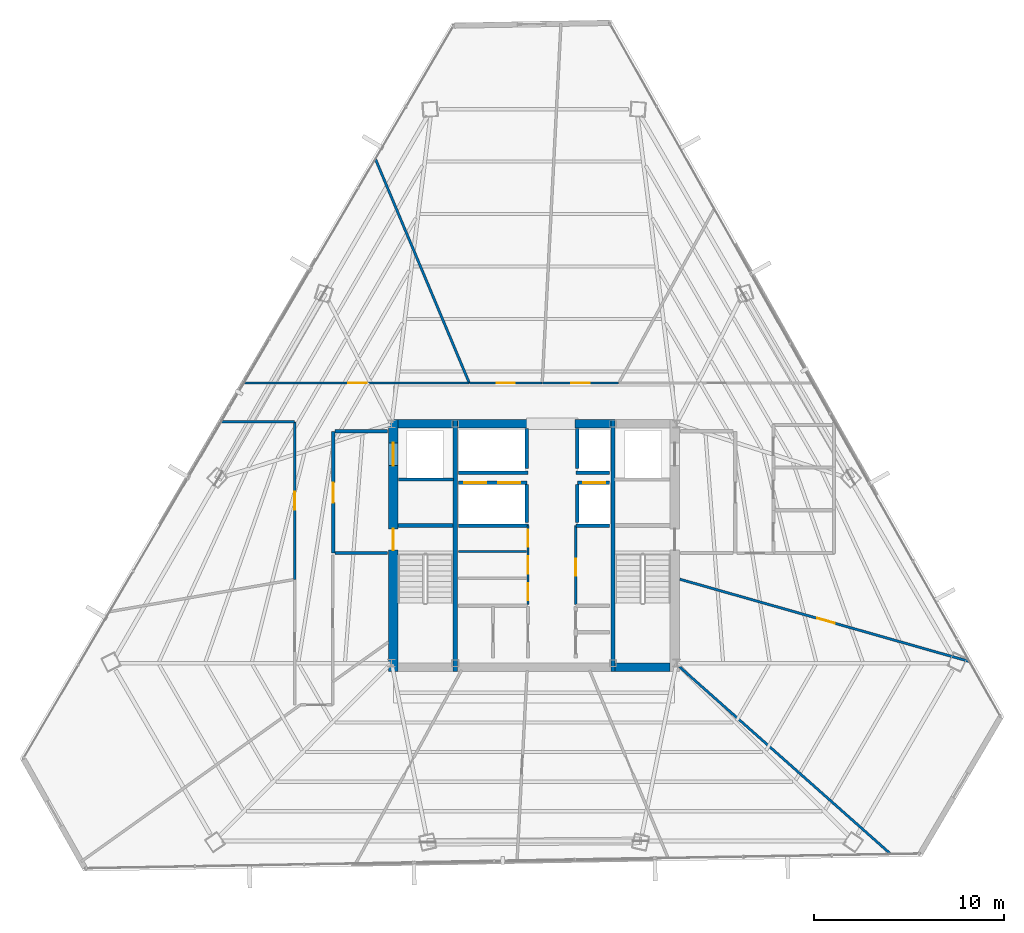
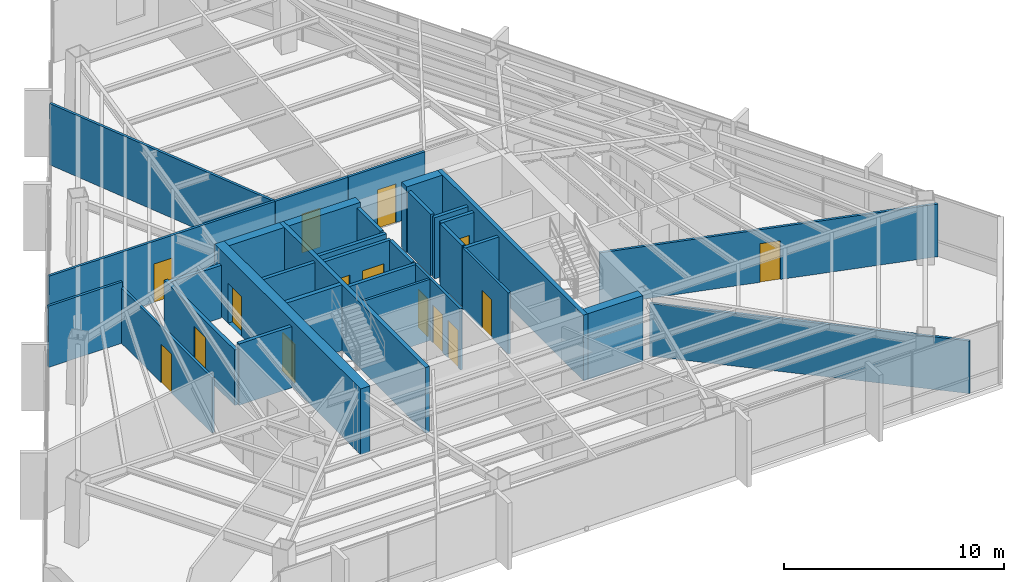
# One storey, part 36 of 42: 33 walls, 15 doors, 15 openings.
"""IFC4 building model written with IfcOpenShell, lengths in metres."""

from ifc_helpers import new_model, si_unit, direction, frame, frame_2d, origin, place, context, subcontext, project, spatial, rectangle, extrude, material, layer, layer_set, type_object, element, fill, save


model = new_model("IFC4")

# Units and contexts
model_context = context("Model", 3, precision=1e-05, world=origin(), true_north=direction((0.0, 1.0)))
body_context = subcontext(model_context, "Body", "Model", "MODEL_VIEW")
ifc_project = project(units=[si_unit("LENGTHUNIT", "METRE"), si_unit("AREAUNIT", "SQUARE_METRE"), si_unit("VOLUMEUNIT", "CUBIC_METRE"), si_unit("PLANEANGLEUNIT", "RADIAN"), si_unit("MASSUNIT", "GRAM", prefix="KILO")], contexts=[model_context])

# Site, building, storey
site_placement = place(None, origin())
site = spatial("IfcSite", under=ifc_project, at=site_placement, CompositionType="ELEMENT")
building_placement = place(site_placement, origin())
building = spatial("IfcBuilding", under=site, at=building_placement, Name="Caelisora Broadcast Tower", CompositionType="ELEMENT")
storey_placement = place(building_placement, frame((0.0, 0.0, 187.699951171875)))
storey = spatial("IfcBuildingStorey", under=building, at=storey_placement, Name="L49", CompositionType="ELEMENT", Elevation=187.699951171875)

# Wall, openings, doors
ifc_material_1 = material(Name="Concrete 50 MPa (AS 3600 S50)", Category="concrete")
ifc_layer_1 = layer(ifc_material_1, 0.5, Name="Concrete 50 MPa (AS 3600 S50)")
ifc_layer_set_1 = layer_set([ifc_layer_1], Name="Concrete 50 MPa (AS 3600 S50)")
wall_type_1 = type_object("IfcWallType", Name="CW2", PredefinedType="SHEAR", material=ifc_layer_set_1)
wall_1_placement = place(storey_placement, frame((30.590087890625, 16.949951171875, 0.0), z_axis=(0.0, 0.0, 1.0), x_axis=(0.0, 1.0, 0.0)))
wall_1 = element("IfcWall", 1, at=wall_1_placement, inside=storey, type_object=wall_type_1, Name="L49 core shear wall CW2", PredefinedType="SHEAR", context=body_context, shape_type="SweptSolid", body=[
    extrude(rectangle(XDim=13.275146484375, YDim=0.5, at=frame_2d((6.6376953125, 0.0))), origin(), (0.0, 0.0, 1.0), 3.650146484375),
])
opening_1_placement = place(wall_1_placement, frame((6.39990234375, 0.0, 0.0)))
opening_1 = element("IfcOpeningElement", 2, at=opening_1_placement, cuts=wall_1, Name="Opening FD04", PredefinedType="OPENING", context=body_context, shape_type="SweptSolid", body=[
    extrude(rectangle(XDim=1.1201171875, YDim=2.14990234375, at=frame_2d((0.56005859375, 1.074951171875))), frame((0.0, 0.261962890625, 0.0), z_axis=(0.0, -1.0, 0.0), x_axis=(1.0, 0.0, 0.0)), (0.0, 0.0, 1.0), 0.52392578125),
])
opening_2_placement = place(wall_1_placement, frame((10.85009765625, 0.0, 0.0)))
opening_2 = element("IfcOpeningElement", 3, at=opening_2_placement, cuts=wall_1, Name="Opening LD04", PredefinedType="OPENING", context=body_context, shape_type="SweptSolid", body=[
    extrude(rectangle(XDim=1.199951171875, YDim=2.199951171875, at=frame_2d((0.60009765625, 1.10009765625))), frame((0.0, 0.261962890625, 0.0), z_axis=(0.0, -1.0, 0.0), x_axis=(1.0, 0.0, 0.0)), (0.0, 0.0, 1.0), 0.52392578125),
])
ifc_material_2 = material(Name="Pressurised Fire-Isolated Stair Door", Category="steel")
door_type_1 = type_object("IfcDoorType", Name="FD04", OperationType="NOTDEFINED", PredefinedType="DOOR", material=ifc_material_2)
door_1_placement = place(opening_1_placement, origin())
door_1 = element("IfcDoor", 4, at=door_1_placement, inside=storey, type_object=door_type_1, Name="L49 door FD04 (L49-DR-ST1)", OperationType="SINGLE_SWING_LEFT", OverallHeight=2.14990234375, OverallWidth=1.1201171875, PredefinedType="DOOR", context=body_context, shape_type="SweptSolid", body=[
    extrude(rectangle(XDim=1.1201171875, YDim=2.14990234375, at=frame_2d((0.56005859375, 1.074951171875))), frame((0.0, 0.02490234375, 0.0), z_axis=(0.0, -1.0, 0.0), x_axis=(1.0, 0.0, 0.0)), (0.0, 0.0, 1.0), 0.050048828125),
])
fill(opening_1, door_1)
ifc_material_3 = material(Name="Emergency Firefighting Lift Sliding Landing Door", Category="steel")
door_type_2 = type_object("IfcDoorType", Name="LD04", OperationType="NOTDEFINED", PredefinedType="DOOR", material=ifc_material_3)
door_2_placement = place(opening_2_placement, origin())
door_2 = element("IfcDoor", 5, at=door_2_placement, inside=storey, type_object=door_type_2, Name="L49 door LD04 (L49-LD-FFL1)", OperationType="SLIDING_TO_LEFT", OverallHeight=2.199951171875, OverallWidth=1.199951171875, PredefinedType="DOOR", context=body_context, shape_type="SweptSolid", body=[
    extrude(rectangle(XDim=1.199951171875, YDim=2.199951171875, at=frame_2d((0.60009765625, 1.10009765625))), frame((0.0, 0.02490234375, 0.0), z_axis=(0.0, -1.0, 0.0), x_axis=(1.0, 0.0, 0.0)), (0.0, 0.0, 1.0), 0.050048828125),
])
fill(opening_2, door_2)

# Walls
ifc_layer_2 = layer(ifc_material_1, 0.449951171875, Name="Concrete 50 MPa (AS 3600 S50)")
ifc_layer_set_2 = layer_set([ifc_layer_2], Name="Concrete 50 MPa (AS 3600 S50)")
wall_type_2 = type_object("IfcWallType", Name="CW5", PredefinedType="SHEAR", material=ifc_layer_set_2)
for number, where, z_axis, x_axis, name in (
    (6, (42.260009765625, 17.175048828125, 0.0), (0.0, 0.0, 1.0), (1.0, 0.0, 0.0), "L49 core shear wall CW5"),
    (7, (30.840087890625, 30.0, 0.0), (0.0, 0.0, 1.0), (1.0, 0.0, 0.0), "L49 core shear wall CW5"),
):
    element("IfcWall", number, at=place(storey_placement, frame(where, z_axis=z_axis, x_axis=x_axis)), inside=storey, type_object=wall_type_2, Name=name, PredefinedType="SHEAR", context=body_context, shape_type="SweptSolid", body=[
        extrude(rectangle(XDim=2.89990234375, YDim=0.449951171875, at=frame_2d((1.449951171875, 0.0))), origin(), (0.0, 0.0, 1.0), 3.650146484375),
    ])
wall_2_placement = place(storey_placement, frame((33.9599609375, 30.0, 0.0), z_axis=(0.0, 0.0, 1.0), x_axis=(1.0, 0.0, 0.0)))
element("IfcWall", 8, at=wall_2_placement, inside=storey, type_object=wall_type_2, Name="L49 core shear wall CW5", PredefinedType="SHEAR", context=body_context, shape_type="SweptSolid", body=[
    extrude(rectangle(XDim=3.780029296875, YDim=0.449951171875, at=frame_2d((1.89013671875, 0.0))), origin(), (0.0, 0.0, 1.0), 3.650146484375),
])
wall_3_placement = place(storey_placement, frame((40.159912109375, 30.0, 0.0), z_axis=(0.0, 0.0, 1.0), x_axis=(1.0, 0.0, 0.0)))
element("IfcWall", 9, at=wall_3_placement, inside=storey, type_object=wall_type_2, Name="L49 core shear wall CW5", PredefinedType="SHEAR", context=body_context, shape_type="SweptSolid", body=[
    extrude(rectangle(XDim=1.880126953125, YDim=0.449951171875, at=frame_2d((0.93994140625, 0.0))), origin(), (0.0, 0.0, 1.0), 3.650146484375),
])
ifc_layer_3 = layer(ifc_material_1, 0.219970703125, Name="Concrete 50 MPa (AS 3600 S50)")
ifc_layer_set_3 = layer_set([ifc_layer_3], Name="Concrete 50 MPa (AS 3600 S50)")
wall_type_3 = type_object("IfcWallType", Name="CW7", PredefinedType="SHEAR", material=ifc_layer_set_3)
for number, where, z_axis, x_axis, name in (
    (10, (33.85009765625, 16.949951171875, 0.0), (0.0, 0.0, 1.0), (0.0, 1.0, 0.0), "L49 core shear wall CW7"),
    (11, (42.14990234375, 16.949951171875, 0.0), (0.0, 0.0, 1.0), (0.0, 1.0, 0.0), "L49 core shear wall CW7"),
):
    element("IfcWall", number, at=place(storey_placement, frame(where, z_axis=z_axis, x_axis=x_axis)), inside=storey, type_object=wall_type_3, Name=name, PredefinedType="SHEAR", context=body_context, shape_type="SweptSolid", body=[
        extrude(rectangle(XDim=13.275146484375, YDim=0.219970703125, at=frame_2d((6.6376953125, 0.0))), origin(), (0.0, 0.0, 1.0), 3.650146484375),
    ])
wall_4_placement = place(storey_placement, frame((30.840087890625, 24.639892578125, 0.0), z_axis=(0.0, 0.0, 1.0), x_axis=(1.0, 0.0, 0.0)))
element("IfcWall", 12, at=wall_4_placement, inside=storey, type_object=wall_type_3, Name="L49 core shear wall CW7", PredefinedType="SHEAR", context=body_context, shape_type="SweptSolid", body=[
    extrude(rectangle(XDim=2.89990234375, YDim=0.219970703125, at=frame_2d((1.449951171875, 0.0))), origin(), (0.0, 0.0, 1.0), 3.650146484375),
])

# Wall, openings, doors
ifc_material_4 = material(Name="Fire-Rated Gypsum Shaft and Compartment Wall", Category="gypsum")
ifc_layer_4 = layer(ifc_material_4, 0.179931640625, Name="Fire-Rated Gypsum Shaft and Compartment Wall")
ifc_layer_set_4 = layer_set([ifc_layer_4], Name="Fire-Rated Gypsum Shaft and Compartment Wall")
wall_type_4 = type_object("IfcWallType", Name="PW2", PredefinedType="PARTITIONING", material=ifc_layer_set_4)
wall_5_placement = place(storey_placement, frame((34.02001953125, 26.89990234375, 0.0), z_axis=(0.0, 0.0, 1.0), x_axis=(1.0, 0.0, 0.0)))
wall_5 = element("IfcWall", 13, at=wall_5_placement, inside=storey, type_object=wall_type_4, Name="L49 fire compartment wall PW2", PredefinedType="PARTITIONING", context=body_context, shape_type="SweptSolid", body=[
    extrude(rectangle(XDim=3.60009765625, YDim=0.179931640625, at=frame_2d((1.800048828125, 0.0))), origin(), (0.0, 0.0, 1.0), 3.400146484375),
])
opening_3_placement = place(wall_5_placement, frame((0.300048828125, 0.0, 0.0)))
opening_3 = element("IfcOpeningElement", 14, at=opening_3_placement, cuts=wall_5, Name="Opening LD02", PredefinedType="OPENING", context=body_context, shape_type="SweptSolid", body=[
    extrude(rectangle(XDim=1.14990234375, YDim=2.199951171875, at=frame_2d((0.574951171875, 1.10009765625))), frame((0.0, 0.10205078125, 0.0), z_axis=(0.0, -1.0, 0.0), x_axis=(1.0, 0.0, 0.0)), (0.0, 0.0, 1.0), 0.203857421875),
])
opening_4_placement = place(wall_5_placement, frame((2.10009765625, 0.0, 0.0)))
opening_4 = element("IfcOpeningElement", 15, at=opening_4_placement, cuts=wall_5, Name="Opening LD02", PredefinedType="OPENING", context=body_context, shape_type="SweptSolid", body=[
    extrude(rectangle(XDim=1.14990234375, YDim=2.199951171875, at=frame_2d((0.574951171875, 1.10009765625))), frame((0.0, 0.10205078125, 0.0), z_axis=(0.0, -1.0, 0.0), x_axis=(1.0, 0.0, 0.0)), (0.0, 0.0, 1.0), 0.203857421875),
])
ifc_material_5 = material(Name="High-Speed Express Lift Sliding Landing Door", Category="steel")
door_type_3 = type_object("IfcDoorType", Name="LD02", OperationType="NOTDEFINED", PredefinedType="DOOR", material=ifc_material_5)
door_3_placement = place(opening_3_placement, origin())
door_3 = element("IfcDoor", 16, at=door_3_placement, inside=storey, type_object=door_type_3, Name="L49 door LD02 (L49-LD-PLM1)", OperationType="SLIDING_TO_LEFT", OverallHeight=2.199951171875, OverallWidth=1.14990234375, PredefinedType="DOOR", context=body_context, shape_type="SweptSolid", body=[
    extrude(rectangle(XDim=1.14990234375, YDim=2.199951171875, at=frame_2d((0.574951171875, 1.10009765625))), frame((0.0, 0.02490234375, 0.0), z_axis=(0.0, -1.0, 0.0), x_axis=(1.0, 0.0, 0.0)), (0.0, 0.0, 1.0), 0.050048828125),
])
fill(opening_3, door_3)
door_4_placement = place(opening_4_placement, origin())
door_4 = element("IfcDoor", 17, at=door_4_placement, inside=storey, type_object=door_type_3, Name="L49 door LD02 (L49-LD-PLM2)", OperationType="SLIDING_TO_RIGHT", OverallHeight=2.199951171875, OverallWidth=1.14990234375, PredefinedType="DOOR", context=body_context, shape_type="SweptSolid", body=[
    extrude(rectangle(XDim=1.14990234375, YDim=2.199951171875, at=frame_2d((0.574951171875, 1.10009765625))), frame((0.0, 0.02490234375, 0.0), z_axis=(0.0, -1.0, 0.0), x_axis=(1.0, 0.0, 0.0)), (0.0, 0.0, 1.0), 0.050048828125),
])
fill(opening_4, door_4)

# Wall, opening, door
wall_6_placement = place(storey_placement, frame((40.280029296875, 26.89990234375, 0.0), z_axis=(0.0, 0.0, 1.0), x_axis=(1.0, 0.0, 0.0)))
wall_6 = element("IfcWall", 18, at=wall_6_placement, inside=storey, type_object=wall_type_4, Name="L49 fire compartment wall PW2", PredefinedType="PARTITIONING", context=body_context, shape_type="SweptSolid", body=[
    extrude(rectangle(XDim=1.699951171875, YDim=0.179931640625, at=frame_2d((0.85009765625, 0.0))), origin(), (0.0, 0.0, 1.0), 3.400146484375),
])
opening_5_placement = place(wall_6_placement, frame((0.320068359375, 0.0, 0.0)))
opening_5 = element("IfcOpeningElement", 19, at=opening_5_placement, cuts=wall_6, Name="Opening LD02", PredefinedType="OPENING", context=body_context, shape_type="SweptSolid", body=[
    extrude(rectangle(XDim=1.14990234375, YDim=2.199951171875, at=frame_2d((0.574951171875, 1.10009765625))), frame((0.0, 0.10205078125, 0.0), z_axis=(0.0, -1.0, 0.0), x_axis=(1.0, 0.0, 0.0)), (0.0, 0.0, 1.0), 0.203857421875),
])
door_5_placement = place(opening_5_placement, origin())
door_5 = element("IfcDoor", 20, at=door_5_placement, inside=storey, type_object=door_type_3, Name="L49 door LD02 (L49-LD-PLM3)", OperationType="SLIDING_TO_LEFT", OverallHeight=2.199951171875, OverallWidth=1.14990234375, PredefinedType="DOOR", context=body_context, shape_type="SweptSolid", body=[
    extrude(rectangle(XDim=1.14990234375, YDim=2.199951171875, at=frame_2d((0.574951171875, 1.10009765625))), frame((0.0, 0.02490234375, 0.0), z_axis=(0.0, -1.0, 0.0), x_axis=(1.0, 0.0, 0.0)), (0.0, 0.0, 1.0), 0.050048828125),
])
fill(opening_5, door_5)

# Walls
for number, where, z_axis, x_axis, name in (
    (21, (37.6201171875, 24.800048828125, 0.0), (0.0, 0.0, 1.0), (0.0, 1.0, 0.0), "L49 fire compartment wall PW2"),
    (22, (40.280029296875, 24.800048828125, 0.0), (0.0, 0.0, 1.0), (0.0, 1.0, 0.0), "L49 fire compartment wall PW2"),
):
    element("IfcWall", number, at=place(storey_placement, frame(where, z_axis=z_axis, x_axis=x_axis)), inside=storey, type_object=wall_type_4, Name=name, PredefinedType="PARTITIONING", context=body_context, shape_type="SweptSolid", body=[
        extrude(rectangle(XDim=2.0, YDim=0.179931640625, at=frame_2d((1.0, 0.0))), origin(), (0.0, 0.0, 1.0), 3.400146484375),
    ])
wall_7_placement = place(storey_placement, frame((34.02001953125, 24.639892578125, 0.0), z_axis=(0.0, 0.0, 1.0), x_axis=(1.0, 0.0, 0.0)))
element("IfcWall", 23, at=wall_7_placement, inside=storey, type_object=wall_type_4, Name="L49 fire compartment wall PW2", PredefinedType="PARTITIONING", context=body_context, shape_type="SweptSolid", body=[
    extrude(rectangle(XDim=3.679931640625, YDim=0.179931640625, at=frame_2d((1.83984375, 0.0))), origin(), (0.0, 0.0, 1.0), 3.400146484375),
])
wall_8_placement = place(storey_placement, frame((40.199951171875, 24.639892578125, 0.0), z_axis=(0.0, 0.0, 1.0), x_axis=(1.0, 0.0, 0.0)))
element("IfcWall", 24, at=wall_8_placement, inside=storey, type_object=wall_type_4, Name="L49 fire compartment wall PW2", PredefinedType="PARTITIONING", context=body_context, shape_type="SweptSolid", body=[
    extrude(rectangle(XDim=1.780029296875, YDim=0.179931640625, at=frame_2d((0.89013671875, 0.0))), origin(), (0.0, 0.0, 1.0), 3.400146484375),
])
wall_9_placement = place(storey_placement, frame((34.02001953125, 27.419921875, 0.0), z_axis=(0.0, 0.0, 1.0), x_axis=(1.0, 0.0, 0.0)))
element("IfcWall", 25, at=wall_9_placement, inside=storey, type_object=wall_type_4, Name="L49 fire compartment wall PW2", PredefinedType="PARTITIONING", context=body_context, shape_type="SweptSolid", body=[
    extrude(rectangle(XDim=3.659912109375, YDim=0.179931640625, at=frame_2d((1.830078125, 0.0))), origin(), (0.0, 0.0, 1.0), 3.400146484375),
])
wall_10_placement = place(storey_placement, frame((40.219970703125, 27.419921875, 0.0), z_axis=(0.0, 0.0, 1.0), x_axis=(1.0, 0.0, 0.0)))
element("IfcWall", 26, at=wall_10_placement, inside=storey, type_object=wall_type_4, Name="L49 fire compartment wall PW2", PredefinedType="PARTITIONING", context=body_context, shape_type="SweptSolid", body=[
    extrude(rectangle(XDim=1.760009765625, YDim=0.179931640625, at=frame_2d((0.8798828125, 0.0))), origin(), (0.0, 0.0, 1.0), 3.400146484375),
])
for number, where, z_axis, x_axis, name in (
    (27, (37.6201171875, 27.639892578125, 0.0), (0.0, 0.0, 1.0), (0.0, 1.0, 0.0), "L49 fire compartment wall PW2"),
    (28, (40.280029296875, 27.639892578125, 0.0), (0.0, 0.0, 1.0), (0.0, 1.0, 0.0), "L49 fire compartment wall PW2"),
):
    element("IfcWall", number, at=place(storey_placement, frame(where, z_axis=z_axis, x_axis=x_axis)), inside=storey, type_object=wall_type_4, Name=name, PredefinedType="PARTITIONING", context=body_context, shape_type="SweptSolid", body=[
        extrude(rectangle(XDim=2.110107421875, YDim=0.179931640625, at=frame_2d((1.05517578125, 0.0))), origin(), (0.0, 0.0, 1.0), 3.400146484375),
    ])

# Wall, opening, door
wall_11_placement = place(storey_placement, frame((27.419921875, 23.199951171875, 0.0), z_axis=(0.0, 0.0, 1.0), x_axis=(0.0, 1.0, 0.0)))
wall_11 = element("IfcWall", 29, at=wall_11_placement, inside=storey, type_object=wall_type_4, Name="L49 fire compartment wall PW2", PredefinedType="PARTITIONING", context=body_context, shape_type="SweptSolid", body=[
    extrude(rectangle(XDim=6.400146484375, YDim=0.179931640625, at=frame_2d((3.2001953125, 0.0))), origin(), (0.0, 0.0, 1.0), 3.077880859375),
])
opening_6_placement = place(wall_11_placement, frame((2.64990234375, 0.0, 0.0)))
opening_6 = element("IfcOpeningElement", 30, at=opening_6_placement, cuts=wall_11, Name="Opening FD02", PredefinedType="OPENING", context=body_context, shape_type="SweptSolid", body=[
    extrude(rectangle(XDim=1.050048828125, YDim=2.14990234375, at=frame_2d((0.52490234375, 1.074951171875))), frame((0.0, 0.10205078125, 0.0), z_axis=(0.0, -1.0, 0.0), x_axis=(1.0, 0.0, 0.0)), (0.0, 0.0, 1.0), 0.203857421875),
])
ifc_material_6 = material(Name="Single-Leaf Steel Fire Lobby Door", Category="steel")
door_type_4 = type_object("IfcDoorType", Name="FD02", OperationType="NOTDEFINED", PredefinedType="DOOR", material=ifc_material_6)
door_6_placement = place(opening_6_placement, origin())
door_6 = element("IfcDoor", 31, at=door_6_placement, inside=storey, type_object=door_type_4, Name="L49 door FD02 (L49-DR-P01D1)", OperationType="SINGLE_SWING_RIGHT", OverallHeight=2.14990234375, OverallWidth=1.050048828125, PredefinedType="DOOR", context=body_context, shape_type="SweptSolid", body=[
    extrude(rectangle(XDim=1.050048828125, YDim=2.14990234375, at=frame_2d((0.52490234375, 1.074951171875))), frame((0.0, 0.02490234375, 0.0), z_axis=(0.0, -1.0, 0.0), x_axis=(1.0, 0.0, 0.0)), (0.0, 0.0, 1.0), 0.050048828125),
])
fill(opening_6, door_6)

# Walls
wall_12_placement = place(storey_placement, frame((27.52001953125, 23.199951171875, 0.0), z_axis=(0.0, 0.0, 1.0), x_axis=(1.0, 0.0, 0.0)))
element("IfcWall", 32, at=wall_12_placement, inside=storey, type_object=wall_type_4, Name="L49 fire compartment wall PW2", PredefinedType="PARTITIONING", context=body_context, shape_type="SweptSolid", body=[
    extrude(rectangle(XDim=2.760009765625, YDim=0.179931640625, at=frame_2d((1.3798828125, 0.0))), origin(), (0.0, 0.0, 1.0), 3.400146484375),
])
wall_13_placement = place(storey_placement, frame((27.52001953125, 29.60009765625, 0.0), z_axis=(0.0, 0.0, 1.0), x_axis=(1.0, 0.0, 0.0)))
element("IfcWall", 33, at=wall_13_placement, inside=storey, type_object=wall_type_4, Name="L49 fire compartment wall PW2", PredefinedType="PARTITIONING", context=body_context, shape_type="SweptSolid", body=[
    extrude(rectangle(XDim=2.760009765625, YDim=0.179931640625, at=frame_2d((1.3798828125, 0.0))), origin(), (0.0, 0.0, 1.0), 2.924560546875),
])
wall_14_placement = place(storey_placement, frame((30.860107421875, 27.070068359375, 0.0), z_axis=(0.0, 0.0, 1.0), x_axis=(1.0, 0.0, 0.0)))
element("IfcWall", 34, at=wall_14_placement, inside=storey, type_object=wall_type_4, Name="L49 fire compartment wall PW2", PredefinedType="PARTITIONING", context=body_context, shape_type="SweptSolid", body=[
    extrude(rectangle(XDim=2.89990234375, YDim=0.179931640625, at=frame_2d((1.449951171875, 0.0))), origin(), (0.0, 0.0, 1.0), 3.400146484375),
])
ifc_material_7 = material(Name="Acoustic Steel-Stud Plasterboard Partition", Category="gypsum")
ifc_layer_5 = layer(ifc_material_7, 0.1298828125, Name="Acoustic Steel-Stud Plasterboard Partition")
ifc_layer_set_5 = layer_set([ifc_layer_5], Name="Acoustic Steel-Stud Plasterboard Partition")
wall_type_5 = type_object("IfcWallType", Name="PW3", PredefinedType="PARTITIONING", material=ifc_layer_set_5)
wall_15_placement = place(storey_placement, frame((34.02001953125, 23.280029296875, 0.0), z_axis=(0.0, 0.0, 1.0), x_axis=(1.0, 0.0, 0.0)))
element("IfcWall", 35, at=wall_15_placement, inside=storey, type_object=wall_type_5, Name="L49 internal partition PW3", PredefinedType="PARTITIONING", context=body_context, shape_type="SweptSolid", body=[
    extrude(rectangle(XDim=3.580078125, YDim=0.1298828125, at=frame_2d((1.7900390625, 0.0))), origin(), (0.0, 0.0, 1.0), 3.400146484375),
])

# Wall, openings, doors
wall_16_placement = place(storey_placement, frame((37.679931640625, 20.5, 0.0), z_axis=(0.0, 0.0, 1.0), x_axis=(0.0, 1.0, 0.0)))
wall_16 = element("IfcWall", 36, at=wall_16_placement, inside=storey, type_object=wall_type_5, Name="L49 internal partition PW3", PredefinedType="PARTITIONING", context=body_context, shape_type="SweptSolid", body=[
    extrude(rectangle(XDim=4.139892578125, YDim=0.1298828125, at=frame_2d((2.06982421875, 0.0))), origin(), (0.0, 0.0, 1.0), 3.400146484375),
])
opening_7_placement = place(wall_16_placement, frame((0.219970703125, 0.0, 0.0)))
opening_7 = element("IfcOpeningElement", 37, at=opening_7_placement, cuts=wall_16, Name="Opening FD03", PredefinedType="OPENING", context=body_context, shape_type="SweptSolid", body=[
    extrude(rectangle(XDim=0.89990234375, YDim=2.10009765625, at=frame_2d((0.449951171875, 1.050048828125))), frame((0.0, 0.076904296875, 0.0), z_axis=(0.0, -1.0, 0.0), x_axis=(1.0, 0.0, 0.0)), (0.0, 0.0, 1.0), 0.15380859375),
])
opening_8_placement = place(wall_16_placement, frame((1.6201171875, 0.0, 0.0)))
opening_8 = element("IfcOpeningElement", 38, at=opening_8_placement, cuts=wall_16, Name="Opening FD03", PredefinedType="OPENING", context=body_context, shape_type="SweptSolid", body=[
    extrude(rectangle(XDim=0.89990234375, YDim=2.10009765625, at=frame_2d((0.449951171875, 1.050048828125))), frame((0.0, 0.076904296875, 0.0), z_axis=(0.0, -1.0, 0.0), x_axis=(1.0, 0.0, 0.0)), (0.0, 0.0, 1.0), 0.15380859375),
])
opening_9_placement = place(wall_16_placement, frame((3.02001953125, 0.0, 0.0)))
opening_9 = element("IfcOpeningElement", 39, at=opening_9_placement, cuts=wall_16, Name="Opening FD03", PredefinedType="OPENING", context=body_context, shape_type="SweptSolid", body=[
    extrude(rectangle(XDim=0.89990234375, YDim=2.10009765625, at=frame_2d((0.449951171875, 1.050048828125))), frame((0.0, 0.076904296875, 0.0), z_axis=(0.0, -1.0, 0.0), x_axis=(1.0, 0.0, 0.0)), (0.0, 0.0, 1.0), 0.15380859375),
])
ifc_material_8 = material(Name="Single-Leaf Steel Riser Fire Access Door", Category="steel")
door_type_5 = type_object("IfcDoorType", Name="FD03", OperationType="NOTDEFINED", PredefinedType="DOOR", material=ifc_material_8)
door_7_placement = place(opening_7_placement, origin())
door_7 = element("IfcDoor", 40, at=door_7_placement, inside=storey, type_object=door_type_5, Name="L49 door FD03 (L49-DR-P13D1)", OperationType="SINGLE_SWING_RIGHT", OverallHeight=2.10009765625, OverallWidth=0.89990234375, PredefinedType="DOOR", context=body_context, shape_type="SweptSolid", body=[
    extrude(rectangle(XDim=0.89990234375, YDim=2.10009765625, at=frame_2d((0.449951171875, 1.050048828125))), frame((0.0, 0.02490234375, 0.0), z_axis=(0.0, -1.0, 0.0), x_axis=(1.0, 0.0, 0.0)), (0.0, 0.0, 1.0), 0.050048828125),
])
fill(opening_7, door_7)
door_8_placement = place(opening_8_placement, origin())
door_8 = element("IfcDoor", 41, at=door_8_placement, inside=storey, type_object=door_type_5, Name="L49 door FD03 (L49-DR-P13D2)", OperationType="SINGLE_SWING_LEFT", OverallHeight=2.10009765625, OverallWidth=0.89990234375, PredefinedType="DOOR", context=body_context, shape_type="SweptSolid", body=[
    extrude(rectangle(XDim=0.89990234375, YDim=2.10009765625, at=frame_2d((0.449951171875, 1.050048828125))), frame((0.0, 0.02490234375, 0.0), z_axis=(0.0, -1.0, 0.0), x_axis=(1.0, 0.0, 0.0)), (0.0, 0.0, 1.0), 0.050048828125),
])
fill(opening_8, door_8)
door_9_placement = place(opening_9_placement, origin())
door_9 = element("IfcDoor", 42, at=door_9_placement, inside=storey, type_object=door_type_5, Name="L49 door FD03 (L49-DR-P13D3)", OperationType="SINGLE_SWING_RIGHT", OverallHeight=2.10009765625, OverallWidth=0.89990234375, PredefinedType="DOOR", context=body_context, shape_type="SweptSolid", body=[
    extrude(rectangle(XDim=0.89990234375, YDim=2.10009765625, at=frame_2d((0.449951171875, 1.050048828125))), frame((0.0, 0.02490234375, 0.0), z_axis=(0.0, -1.0, 0.0), x_axis=(1.0, 0.0, 0.0)), (0.0, 0.0, 1.0), 0.050048828125),
])
fill(opening_9, door_9)

# Wall, opening, door
wall_17_placement = place(storey_placement, frame((40.199951171875, 20.5, 0.0), z_axis=(0.0, 0.0, 1.0), x_axis=(0.0, 1.0, 0.0)))
wall_17 = element("IfcWall", 43, at=wall_17_placement, inside=storey, type_object=wall_type_5, Name="L49 internal partition PW3", PredefinedType="PARTITIONING", context=body_context, shape_type="SweptSolid", body=[
    extrude(rectangle(XDim=4.139892578125, YDim=0.1298828125, at=frame_2d((2.06982421875, 0.0))), origin(), (0.0, 0.0, 1.0), 3.400146484375),
])
opening_10_placement = place(wall_17_placement, frame((1.5, 0.0, 0.0)))
opening_10 = element("IfcOpeningElement", 44, at=opening_10_placement, cuts=wall_17, Name="Opening FD03", PredefinedType="OPENING", context=body_context, shape_type="SweptSolid", body=[
    extrude(rectangle(XDim=0.89990234375, YDim=2.10009765625, at=frame_2d((0.449951171875, 1.050048828125))), frame((0.0, 0.076904296875, 0.0), z_axis=(0.0, -1.0, 0.0), x_axis=(1.0, 0.0, 0.0)), (0.0, 0.0, 1.0), 0.15380859375),
])
door_10_placement = place(opening_10_placement, origin())
door_10 = element("IfcDoor", 45, at=door_10_placement, inside=storey, type_object=door_type_5, Name="L49 door FD03 (L49-DR-P14D1)", OperationType="SINGLE_SWING_LEFT", OverallHeight=2.10009765625, OverallWidth=0.89990234375, PredefinedType="DOOR", context=body_context, shape_type="SweptSolid", body=[
    extrude(rectangle(XDim=0.89990234375, YDim=2.10009765625, at=frame_2d((0.449951171875, 1.050048828125))), frame((0.0, 0.02490234375, 0.0), z_axis=(0.0, -1.0, 0.0), x_axis=(1.0, 0.0, 0.0)), (0.0, 0.0, 1.0), 0.050048828125),
])
fill(opening_10, door_10)

wall_18_placement = place(storey_placement, frame((45.672119140625, 21.820068359375, 0.0), z_axis=(0.0, 0.0, 1.0), x_axis=(0.961962387493, -0.27318192665, 0.0)))
wall_18 = element("IfcWall", 46, at=wall_18_placement, inside=storey, type_object=wall_type_5, Name="L49 internal partition PW3", PredefinedType="PARTITIONING", context=body_context, shape_type="SweptSolid", body=[
    extrude(rectangle(XDim=15.862060546875, YDim=0.1298828125, at=frame_2d((7.93115234375, 0.0))), origin(), (0.0, 0.0, 1.0), 2.924560546875),
])
opening_11_placement = place(wall_18_placement, frame((7.51806640625, 0.0, 0.0)))
opening_11 = element("IfcOpeningElement", 47, at=opening_11_placement, cuts=wall_18, Name="Opening D01", PredefinedType="OPENING", context=body_context, shape_type="SweptSolid", body=[
    extrude(rectangle(XDim=0.9599609375, YDim=2.14990234375, at=frame_2d((0.47998046875, 1.074951171875))), frame((0.0, 0.076904296875, 0.0), z_axis=(0.0, -1.0, 0.0), x_axis=(1.0, 0.0, 0.0)), (0.0, 0.0, 1.0), 0.15380859375),
])
ifc_material_9 = material(Name="Solid-Core Timber Acoustic Office Door", Category="wood")
door_type_6 = type_object("IfcDoorType", Name="D01", OperationType="NOTDEFINED", PredefinedType="DOOR", material=ifc_material_9)
door_11_placement = place(opening_11_placement, origin())
door_11 = element("IfcDoor", 48, at=door_11_placement, inside=storey, type_object=door_type_6, Name="L49 door D01 (L49-DR-P30D1)", OperationType="SINGLE_SWING_LEFT", OverallHeight=2.14990234375, OverallWidth=0.9599609375, PredefinedType="DOOR", context=body_context, shape_type="SweptSolid", body=[
    extrude(rectangle(XDim=0.9599609375, YDim=2.14990234375, at=frame_2d((0.47998046875, 1.074951171875))), frame((0.0, 0.02490234375, 0.0), z_axis=(0.0, -1.0, 0.0), x_axis=(1.0, 0.0, 0.0)), (0.0, 0.0, 1.0), 0.050048828125),
])
fill(opening_11, door_11)

# Walls
wall_19_placement = place(storey_placement, frame((45.656005859375, 17.2099609375, 0.0), z_axis=(0.0, 0.0, 1.0), x_axis=(0.748265282608, -0.663399628311, 0.0)))
element("IfcWall", 49, at=wall_19_placement, inside=storey, type_object=wall_type_5, Name="L49 internal partition PW3", PredefinedType="PARTITIONING", context=body_context, shape_type="SweptSolid", body=[
    extrude(rectangle(XDim=14.8759765625, YDim=0.1298828125, at=frame_2d((7.43798828125, 0.0))), origin(), (0.0, 0.0, 1.0), 2.924560546875),
])
wall_20_placement = place(storey_placement, frame((29.646728515625, 43.948486328125, 0.0), z_axis=(0.0, 0.0, 1.0), x_axis=(0.386428615237, -0.922319318526, 0.0)))
element("IfcWall", 50, at=wall_20_placement, inside=storey, type_object=wall_type_5, Name="L49 internal partition PW3", PredefinedType="PARTITIONING", context=body_context, shape_type="SweptSolid", body=[
    extrude(rectangle(XDim=12.78662109375, YDim=0.1298828125, at=frame_2d((6.393310546875, 0.0))), origin(), (0.0, 0.0, 1.0), 3.400146484375),
])

# Wall, opening, door
wall_21_placement = place(storey_placement, frame((22.718994140625, 32.14990234375, 0.0), z_axis=(0.0, 0.0, 1.0), x_axis=(1.0, 0.0, 0.0)))
wall_21 = element("IfcWall", 51, at=wall_21_placement, inside=storey, type_object=wall_type_5, Name="L49 internal partition PW3", PredefinedType="PARTITIONING", context=body_context, shape_type="SweptSolid", body=[
    extrude(rectangle(XDim=11.865966796875, YDim=0.1298828125, at=frame_2d((5.93310546875, 0.0))), origin(), (0.0, 0.0, 1.0), 3.400146484375),
])
opening_12_placement = place(wall_21_placement, frame((5.508056640625, 0.0, 0.0)))
opening_12 = element("IfcOpeningElement", 52, at=opening_12_placement, cuts=wall_21, Name="Opening D01", PredefinedType="OPENING", context=body_context, shape_type="SweptSolid", body=[
    extrude(rectangle(XDim=0.9599609375, YDim=2.14990234375, at=frame_2d((0.47998046875, 1.074951171875))), frame((0.0, 0.076904296875, 0.0), z_axis=(0.0, -1.0, 0.0), x_axis=(1.0, 0.0, 0.0)), (0.0, 0.0, 1.0), 0.15380859375),
])
door_12_placement = place(opening_12_placement, origin())
door_12 = element("IfcDoor", 53, at=door_12_placement, inside=storey, type_object=door_type_6, Name="L49 door D01 (L49-DR-P34D1)", OperationType="SINGLE_SWING_RIGHT", OverallHeight=2.14990234375, OverallWidth=0.9599609375, PredefinedType="DOOR", context=body_context, shape_type="SweptSolid", body=[
    extrude(rectangle(XDim=0.9599609375, YDim=2.14990234375, at=frame_2d((0.47998046875, 1.074951171875))), frame((0.0, 0.02490234375, 0.0), z_axis=(0.0, -1.0, 0.0), x_axis=(1.0, 0.0, 0.0)), (0.0, 0.0, 1.0), 0.050048828125),
])
fill(opening_12, door_12)

wall_22_placement = place(storey_placement, frame((25.39990234375, 30.094970703125, 0.0), z_axis=(0.0, 0.0, 1.0), x_axis=(0.0, -1.0, 0.0)))
wall_22 = element("IfcWall", 54, at=wall_22_placement, inside=storey, type_object=wall_type_5, Name="L49 internal partition PW3", PredefinedType="PARTITIONING", context=body_context, shape_type="SweptSolid", body=[
    extrude(rectangle(XDim=8.280029296875, YDim=0.1298828125, at=frame_2d((4.14013671875, 0.0))), origin(), (0.0, 0.0, 1.0), 3.077880859375),
])
opening_13_placement = place(wall_22_placement, frame((3.659912109375, 0.0, 0.0)))
opening_13 = element("IfcOpeningElement", 55, at=opening_13_placement, cuts=wall_22, Name="Opening D01", PredefinedType="OPENING", context=body_context, shape_type="SweptSolid", body=[
    extrude(rectangle(XDim=0.9599609375, YDim=2.14990234375, at=frame_2d((0.47998046875, 1.074951171875))), frame((0.0, 0.076904296875, 0.0), z_axis=(0.0, -1.0, 0.0), x_axis=(1.0, 0.0, 0.0)), (0.0, 0.0, 1.0), 0.15380859375),
])
door_13_placement = place(opening_13_placement, origin())
door_13 = element("IfcDoor", 56, at=door_13_placement, inside=storey, type_object=door_type_6, Name="L49 door D01 (L49-DR-P43D1)", OperationType="SINGLE_SWING_LEFT", OverallHeight=2.14990234375, OverallWidth=0.9599609375, PredefinedType="DOOR", context=body_context, shape_type="SweptSolid", body=[
    extrude(rectangle(XDim=0.9599609375, YDim=2.14990234375, at=frame_2d((0.47998046875, 1.074951171875))), frame((0.0, 0.02490234375, 0.0), z_axis=(0.0, -1.0, 0.0), x_axis=(1.0, 0.0, 0.0)), (0.0, 0.0, 1.0), 0.050048828125),
])
fill(opening_13, door_13)

wall_23_placement = place(storey_placement, frame((38.43505859375, 32.14990234375, 0.0), z_axis=(0.0, 0.0, 1.0), x_axis=(1.0, 0.0, 0.0)))
wall_23 = element("IfcWall", 57, at=wall_23_placement, inside=storey, type_object=wall_type_5, Name="L49 internal partition PW3", PredefinedType="PARTITIONING", context=body_context, shape_type="SweptSolid", body=[
    extrude(rectangle(XDim=4.02001953125, YDim=0.1298828125, at=frame_2d((2.010009765625, 0.0))), origin(), (0.0, 0.0, 1.0), 3.400146484375),
])
opening_14_placement = place(wall_23_placement, frame((1.530029296875, 0.0, 0.0)))
opening_14 = element("IfcOpeningElement", 58, at=opening_14_placement, cuts=wall_23, Name="Opening D01", PredefinedType="OPENING", context=body_context, shape_type="SweptSolid", body=[
    extrude(rectangle(XDim=0.9599609375, YDim=2.14990234375, at=frame_2d((0.47998046875, 1.074951171875))), frame((0.0, 0.076904296875, 0.0), z_axis=(0.0, -1.0, 0.0), x_axis=(1.0, 0.0, 0.0)), (0.0, 0.0, 1.0), 0.15380859375),
])
door_14_placement = place(opening_14_placement, origin())
door_14 = element("IfcDoor", 59, at=door_14_placement, inside=storey, type_object=door_type_6, Name="L49 door D01 (L49-DR-P46D1)", OperationType="SINGLE_SWING_RIGHT", OverallHeight=2.14990234375, OverallWidth=0.9599609375, PredefinedType="DOOR", context=body_context, shape_type="SweptSolid", body=[
    extrude(rectangle(XDim=0.9599609375, YDim=2.14990234375, at=frame_2d((0.47998046875, 1.074951171875))), frame((0.0, 0.02490234375, 0.0), z_axis=(0.0, -1.0, 0.0), x_axis=(1.0, 0.0, 0.0)), (0.0, 0.0, 1.0), 0.050048828125),
])
fill(opening_14, door_14)

# Wall
wall_24_placement = place(storey_placement, frame((21.51513671875, 30.10009765625, 0.0), z_axis=(0.0, 0.0, 1.0), x_axis=(1.0, 0.0, 0.0)))
element("IfcWall", 60, at=wall_24_placement, inside=storey, type_object=wall_type_5, Name="L49 internal partition PW3", PredefinedType="PARTITIONING", context=body_context, shape_type="SweptSolid", body=[
    extrude(rectangle(XDim=3.8798828125, YDim=0.1298828125, at=frame_2d((1.93994140625, 0.0))), origin(), (0.0, 0.0, 1.0), 3.400146484375),
])

# Wall, opening, door
wall_25_placement = place(storey_placement, frame((34.594970703125, 32.14990234375, 0.0), z_axis=(0.0, 0.0, 1.0), x_axis=(1.0, 0.0, 0.0)))
wall_25 = element("IfcWall", 61, at=wall_25_placement, inside=storey, type_object=wall_type_5, Name="L49 internal partition PW3", PredefinedType="PARTITIONING", context=body_context, shape_type="SweptSolid", body=[
    extrude(rectangle(XDim=3.830078125, YDim=0.1298828125, at=frame_2d((1.9150390625, 0.0))), origin(), (0.0, 0.0, 1.0), 3.400146484375),
])
opening_15_placement = place(wall_25_placement, frame((1.43505859375, 0.0, 0.0)))
opening_15 = element("IfcOpeningElement", 62, at=opening_15_placement, cuts=wall_25, Name="Opening D01", PredefinedType="OPENING", context=body_context, shape_type="SweptSolid", body=[
    extrude(rectangle(XDim=0.9599609375, YDim=2.14990234375, at=frame_2d((0.47998046875, 1.074951171875))), frame((0.0, 0.076904296875, 0.0), z_axis=(0.0, -1.0, 0.0), x_axis=(1.0, 0.0, 0.0)), (0.0, 0.0, 1.0), 0.15380859375),
])
door_15_placement = place(opening_15_placement, origin())
door_15 = element("IfcDoor", 63, at=door_15_placement, inside=storey, type_object=door_type_6, Name="L49 door D01 (L49-DR-P48D1)", OperationType="SINGLE_SWING_LEFT", OverallHeight=2.14990234375, OverallWidth=0.9599609375, PredefinedType="DOOR", context=body_context, shape_type="SweptSolid", body=[
    extrude(rectangle(XDim=0.9599609375, YDim=2.14990234375, at=frame_2d((0.47998046875, 1.074951171875))), frame((0.0, 0.02490234375, 0.0), z_axis=(0.0, -1.0, 0.0), x_axis=(1.0, 0.0, 0.0)), (0.0, 0.0, 1.0), 0.050048828125),
])
fill(opening_15, door_15)

save(model, "model.ifc")
